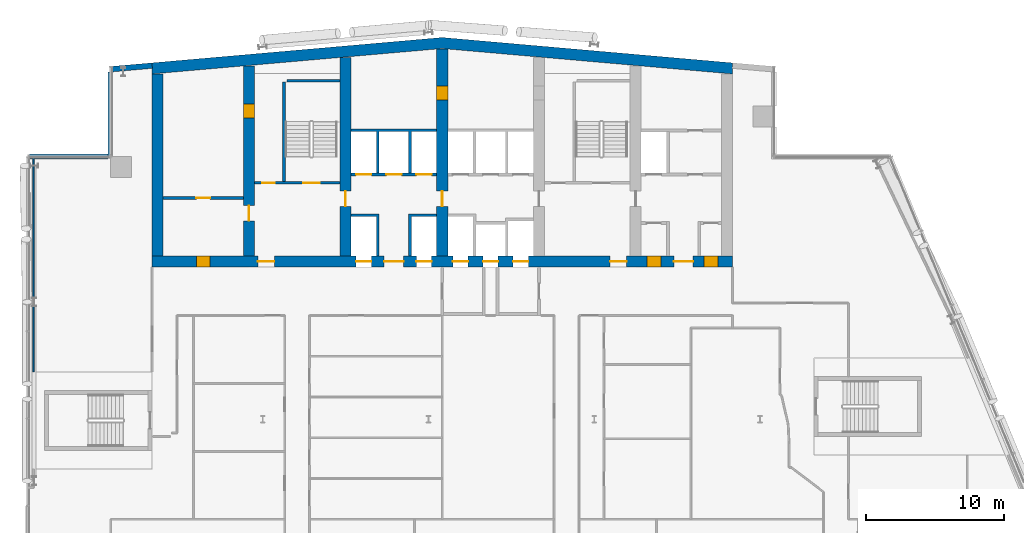
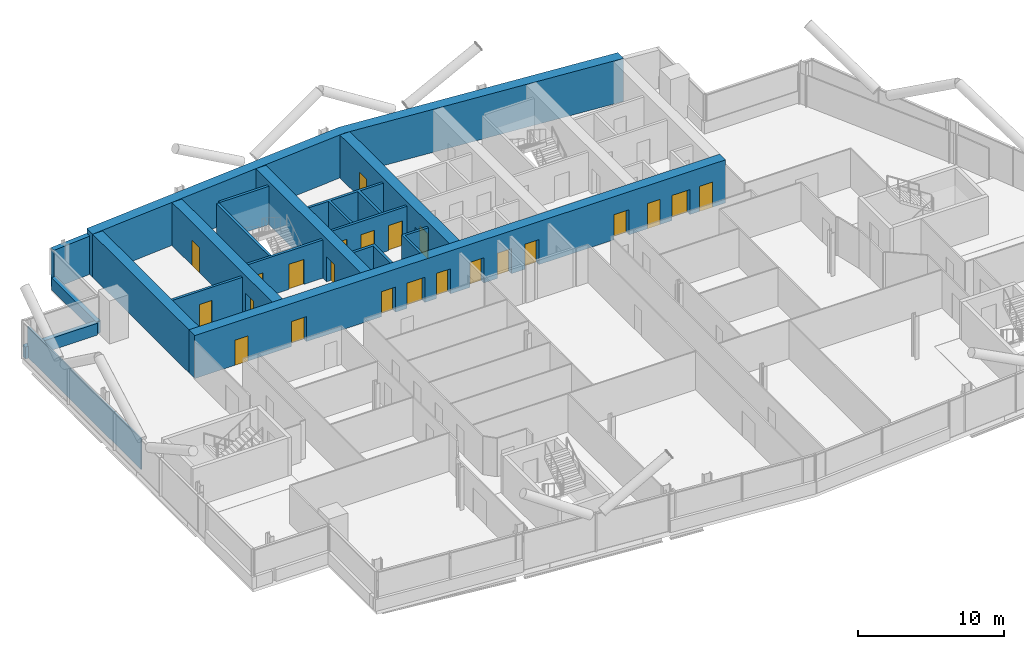
# One storey, part 17 of 26: 23 doors, 18 walls, 23 openings.
"""IFC4 building model written with IfcOpenShell, lengths in metres."""

from ifc_helpers import new_model, si_unit, direction, frame, frame_2d, origin, place, context, subcontext, project, spatial, polyline, rectangle, outline, extrude, material, layer, layer_set, type_object, element, fill, save


model = new_model("IFC4")

# Units and contexts
model_context = context("Model", 3, precision=1e-05, world=origin(), true_north=direction((0.0, 1.0)))
body_context = subcontext(model_context, "Body", "Model", "MODEL_VIEW")
ifc_project = project(units=[si_unit("LENGTHUNIT", "METRE"), si_unit("AREAUNIT", "SQUARE_METRE"), si_unit("VOLUMEUNIT", "CUBIC_METRE"), si_unit("PLANEANGLEUNIT", "RADIAN"), si_unit("MASSUNIT", "GRAM", prefix="KILO")], contexts=[model_context])

# Site, building, storey
site_placement = place(None, origin())
site = spatial("IfcSite", under=ifc_project, at=site_placement, CompositionType="ELEMENT")
building_placement = place(site_placement, origin())
building = spatial("IfcBuilding", under=site, at=building_placement, Name="Wharfspan Tower", CompositionType="ELEMENT")
storey_placement = place(building_placement, frame((0.0, 0.0, 166.300049)))
storey = spatial("IfcBuildingStorey", under=building, at=storey_placement, Name="L40", CompositionType="ELEMENT", Elevation=166.300049)

# Wall, opening, door
ifc_material_1 = material(Name="Calcium silicate masonry", Category="masonry")
ifc_layer_1 = layer(ifc_material_1, 0.199951)
ifc_layer_set_1 = layer_set([ifc_layer_1], Name="Calcium silicate masonry")
wall_type_1 = type_object("IfcWallType", Name="Core room wall 200", PredefinedType="PARTITIONING", material=ifc_layer_set_1)
wall_1_placement = place(storey_placement, frame((16.800049, 39.0, 0.0), z_axis=(0.0, 0.0, 1.0), x_axis=(1.0, 0.0, 0.0)))
wall_1 = element("IfcWall", 1, at=wall_1_placement, inside=storey, type_object=wall_type_1, Name="sw:L40:RM1", PredefinedType="PARTITIONING", context=body_context, shape_type="SweptSolid", body=[
    extrude(rectangle(XDim=5.800049, YDim=0.199951, at=frame_2d((2.899902, 0.0))), origin(), (0.0, 0.0, 1.0), 3.199951),
])
opening_1_placement = place(wall_1_placement, frame((2.399902, 0.0, 0.0)))
opening_1 = element("IfcOpeningElement", 2, at=opening_1_placement, cuts=wall_1, Name="Opening CD40.12", PredefinedType="OPENING", context=body_context, shape_type="SweptSolid", body=[
    extrude(rectangle(XDim=1.0, YDim=2.100098, at=frame_2d((0.5, 1.050049))), frame((0.0, 0.109863, 0.0), z_axis=(0.0, -1.0, 0.0), x_axis=(1.0, 0.0, 0.0)), (0.0, 0.0, 1.0), 0.219971),
])
ifc_material_2 = material(Name="Steel door leaf", Category="steel")
door_type_1 = type_object("IfcDoorType", Name="Core room door 1000x2100", OperationType="SINGLE_SWING_LEFT", PredefinedType="DOOR", material=ifc_material_2)
door_1_placement = place(opening_1_placement, origin())
door_1 = element("IfcDoor", 3, at=door_1_placement, inside=storey, type_object=door_type_1, Name="d:L40:1:rr", OperationType="SINGLE_SWING_RIGHT", OverallHeight=2.100098, OverallWidth=1.0, PredefinedType="DOOR", context=body_context, shape_type="SweptSolid", body=[
    extrude(rectangle(XDim=1.0, YDim=2.100098, at=frame_2d((0.5, 1.050049))), frame((0.0, 0.024902, 0.0), z_axis=(0.0, -1.0, 0.0), x_axis=(1.0, 0.0, 0.0)), (0.0, 0.0, 1.0), 0.050049),
])
fill(opening_1, door_1)

# Wall
ifc_material_3 = material(Name="Concrete C60/75", Category="concrete")
ifc_layer_2 = layer(ifc_material_3, 0.800049)
ifc_layer_set_2 = layer_set([ifc_layer_2], Name="Concrete C60/75")
wall_type_2 = type_object("IfcWallType", Name="Core wall 800 C60/75", PredefinedType="SHEAR", material=ifc_layer_set_2)
wall_2_placement = place(storey_placement, frame((0.0, 0.0, -0.000244)))
element("IfcWall", 4, at=wall_2_placement, inside=storey, type_object=wall_type_2, Name="Core rear wall L40", PredefinedType="SHEAR", context=body_context, shape_type="SweptSolid", body=[
    extrude(outline(polyline([(16.0, 47.984375), (37.0, 49.821533), (58.0, 47.984375), (58.0, 48.787354), (37.0, 50.624756), (16.0, 48.787354), (16.0, 47.984375)])), origin(), (0.0, 0.0, 1.0), 3.600098),
])

# Wall, openings, doors
wall_3_placement = place(storey_placement, frame((16.0, 34.399902, 0.0), z_axis=(0.0, 0.0, 1.0), x_axis=(1.0, 0.0, 0.0)))
wall_3 = element("IfcWall", 5, at=wall_3_placement, inside=storey, type_object=wall_type_2, Name="Core front wall L40", PredefinedType="SHEAR", context=body_context, shape_type="SweptSolid", body=[
    extrude(rectangle(XDim=42.0, YDim=0.800049, at=frame_2d((21.0, 0.0))), origin(), (0.0, 0.0, 1.0), 3.599854),
])
opening_2_placement = place(wall_3_placement, frame((3.199951, 0.0, 0.0)))
opening_2 = element("IfcOpeningElement", 6, at=opening_2_placement, cuts=wall_3, Name="Opening CD40.11", PredefinedType="OPENING", context=body_context, shape_type="SweptSolid", body=[
    extrude(rectangle(XDim=1.0, YDim=2.100098, at=frame_2d((0.5, 1.050049))), frame((0.0, 0.409912, 0.0), z_axis=(0.0, -1.0, 0.0), x_axis=(1.0, 0.0, 0.0)), (0.0, 0.0, 1.0), 0.820068),
])
opening_3_placement = place(wall_3_placement, frame((7.649902, 0.0, 0.0)))
opening_3 = element("IfcOpeningElement", 7, at=opening_3_placement, cuts=wall_3, Name="Opening SV2.L40", PredefinedType="OPENING", context=body_context, shape_type="SweptSolid", body=[
    extrude(rectangle(XDim=1.199951, YDim=2.100098, at=frame_2d((0.600098, 1.050049))), frame((0.0, 0.409912, 0.0), z_axis=(0.0, -1.0, 0.0), x_axis=(1.0, 0.0, 0.0)), (0.0, 0.0, 1.0), 0.820068),
])
opening_4_placement = place(wall_3_placement, frame((14.766602, 0.0, 0.0)))
opening_4 = element("IfcOpeningElement", 8, at=opening_4_placement, cuts=wall_3, Name="Opening LD.SL1.L40", PredefinedType="OPENING", context=body_context, shape_type="SweptSolid", body=[
    extrude(rectangle(XDim=1.100098, YDim=2.100098, at=frame_2d((0.550049, 1.050049))), frame((0.0, 0.409912, 0.0), z_axis=(0.0, -1.0, 0.0), x_axis=(1.0, 0.0, 0.0)), (0.0, 0.0, 1.0), 0.820068),
])
opening_5_placement = place(wall_3_placement, frame((19.133301, 0.0, 0.0)))
opening_5 = element("IfcOpeningElement", 9, at=opening_5_placement, cuts=wall_3, Name="Opening LD.SL2.L40", PredefinedType="OPENING", context=body_context, shape_type="SweptSolid", body=[
    extrude(rectangle(XDim=1.100098, YDim=2.100098, at=frame_2d((0.550049, 1.050049))), frame((0.0, 0.409912, 0.0), z_axis=(0.0, -1.0, 0.0), x_axis=(1.0, 0.0, 0.0)), (0.0, 0.0, 1.0), 0.820068),
])
opening_6_placement = place(wall_3_placement, frame((16.800049, 0.0, 0.0)))
opening_6 = element("IfcOpeningElement", 10, at=opening_6_placement, cuts=wall_3, Name="Opening HD40.3", PredefinedType="OPENING", context=body_context, shape_type="SweptSolid", body=[
    extrude(rectangle(XDim=1.399902, YDim=2.100098, at=frame_2d((0.699951, 1.050049))), frame((0.0, 0.409912, 0.0), z_axis=(0.0, -1.0, 0.0), x_axis=(1.0, 0.0, 0.0)), (0.0, 0.0, 1.0), 0.820068),
])
opening_7_placement = place(wall_3_placement, frame((21.766602, 0.0, 0.0)))
opening_7 = element("IfcOpeningElement", 11, at=opening_7_placement, cuts=wall_3, Name="Opening LD.FF1.L40", PredefinedType="OPENING", context=body_context, shape_type="SweptSolid", body=[
    extrude(rectangle(XDim=1.100098, YDim=2.100098, at=frame_2d((0.550049, 1.050049))), frame((0.0, 0.409912, 0.0), z_axis=(0.0, -1.0, 0.0), x_axis=(1.0, 0.0, 0.0)), (0.0, 0.0, 1.0), 0.820068),
])
opening_8_placement = place(wall_3_placement, frame((23.949951, 0.0, 0.0)))
opening_8 = element("IfcOpeningElement", 12, at=opening_8_placement, cuts=wall_3, Name="Opening LD.LB7.L40", PredefinedType="OPENING", context=body_context, shape_type="SweptSolid", body=[
    extrude(rectangle(XDim=1.100098, YDim=2.100098, at=frame_2d((0.550049, 1.050049))), frame((0.0, 0.409912, 0.0), z_axis=(0.0, -1.0, 0.0), x_axis=(1.0, 0.0, 0.0)), (0.0, 0.0, 1.0), 0.820068),
])
opening_9_placement = place(wall_3_placement, frame((26.133301, 0.0, 0.0)))
opening_9 = element("IfcOpeningElement", 13, at=opening_9_placement, cuts=wall_3, Name="Opening LD.FF2.L40", PredefinedType="OPENING", context=body_context, shape_type="SweptSolid", body=[
    extrude(rectangle(XDim=1.100098, YDim=2.100098, at=frame_2d((0.550049, 1.050049))), frame((0.0, 0.409912, 0.0), z_axis=(0.0, -1.0, 0.0), x_axis=(1.0, 0.0, 0.0)), (0.0, 0.0, 1.0), 0.820068),
])
opening_10_placement = place(wall_3_placement, frame((33.149902, 0.0, 0.0)))
opening_10 = element("IfcOpeningElement", 14, at=opening_10_placement, cuts=wall_3, Name="Opening SV5.L40", PredefinedType="OPENING", context=body_context, shape_type="SweptSolid", body=[
    extrude(rectangle(XDim=1.199951, YDim=2.100098, at=frame_2d((0.600098, 1.050049))), frame((0.0, 0.409912, 0.0), z_axis=(0.0, -1.0, 0.0), x_axis=(1.0, 0.0, 0.0)), (0.0, 0.0, 1.0), 0.820068),
])
opening_11_placement = place(wall_3_placement, frame((35.81665, 0.0, 0.0)))
opening_11 = element("IfcOpeningElement", 15, at=opening_11_placement, cuts=wall_3, Name="Opening CD40.6F1", PredefinedType="OPENING", context=body_context, shape_type="SweptSolid", body=[
    extrude(rectangle(XDim=1.0, YDim=2.100098, at=frame_2d((0.5, 1.050049))), frame((0.0, 0.409912, 0.0), z_axis=(0.0, -1.0, 0.0), x_axis=(1.0, 0.0, 0.0)), (0.0, 0.0, 1.0), 0.820068),
])
opening_12_placement = place(wall_3_placement, frame((39.949951, 0.0, 0.0)))
opening_12 = element("IfcOpeningElement", 16, at=opening_12_placement, cuts=wall_3, Name="Opening CD40.6F3", PredefinedType="OPENING", context=body_context, shape_type="SweptSolid", body=[
    extrude(rectangle(XDim=1.0, YDim=2.100098, at=frame_2d((0.5, 1.050049))), frame((0.0, 0.409912, 0.0), z_axis=(0.0, -1.0, 0.0), x_axis=(1.0, 0.0, 0.0)), (0.0, 0.0, 1.0), 0.820068),
])
opening_13_placement = place(wall_3_placement, frame((37.766602, 0.0, 0.0)))
opening_13 = element("IfcOpeningElement", 17, at=opening_13_placement, cuts=wall_3, Name="Opening HD40.6", PredefinedType="OPENING", context=body_context, shape_type="SweptSolid", body=[
    extrude(rectangle(XDim=1.399902, YDim=2.100098, at=frame_2d((0.699951, 1.050049))), frame((0.0, 0.409912, 0.0), z_axis=(0.0, -1.0, 0.0), x_axis=(1.0, 0.0, 0.0)), (0.0, 0.0, 1.0), 0.820068),
])
door_2_placement = place(opening_2_placement, origin())
door_2 = element("IfcDoor", 18, at=door_2_placement, inside=storey, type_object=door_type_1, Name="d:L40:1:rf", OperationType="SINGLE_SWING_LEFT", OverallHeight=2.100098, OverallWidth=1.0, PredefinedType="DOOR", context=body_context, shape_type="SweptSolid", body=[
    extrude(rectangle(XDim=1.0, YDim=2.100098, at=frame_2d((0.5, 1.050049))), frame((0.0, 0.399902, 0.0), z_axis=(0.0, -1.0, 0.0), x_axis=(1.0, 0.0, 0.0)), (0.0, 0.0, 1.0), 0.799561),
])
fill(opening_2, door_2)
door_3_placement = place(opening_11_placement, origin())
door_3 = element("IfcDoor", 19, at=door_3_placement, inside=storey, type_object=door_type_1, Name="d:L40:6:fd6.1", OperationType="SINGLE_SWING_LEFT", OverallHeight=2.100098, OverallWidth=1.0, PredefinedType="DOOR", context=body_context, shape_type="SweptSolid", body=[
    extrude(rectangle(XDim=1.0, YDim=2.100098, at=frame_2d((0.5, 1.050049))), frame((0.0, 0.399902, 0.0), z_axis=(0.0, -1.0, 0.0), x_axis=(1.0, 0.0, 0.0)), (0.0, 0.0, 1.0), 0.799561),
])
fill(opening_11, door_3)
door_4_placement = place(opening_12_placement, origin())
door_4 = element("IfcDoor", 20, at=door_4_placement, inside=storey, type_object=door_type_1, Name="d:L40:6:fd6.3", OperationType="SINGLE_SWING_LEFT", OverallHeight=2.100098, OverallWidth=1.0, PredefinedType="DOOR", context=body_context, shape_type="SweptSolid", body=[
    extrude(rectangle(XDim=1.0, YDim=2.100098, at=frame_2d((0.5, 1.050049))), frame((0.0, 0.399902, 0.0), z_axis=(0.0, -1.0, 0.0), x_axis=(1.0, 0.0, 0.0)), (0.0, 0.0, 1.0), 0.799561),
])
fill(opening_12, door_4)
door_type_2 = type_object("IfcDoorType", Name="Hall entry door 1400x2100", OperationType="DOUBLE_DOOR_SINGLE_SWING", PredefinedType="DOOR", material=ifc_material_2)
door_5_placement = place(opening_6_placement, origin())
door_5 = element("IfcDoor", 21, at=door_5_placement, inside=storey, type_object=door_type_2, Name="d:L40:3:hd3", OperationType="DOUBLE_DOOR_SINGLE_SWING", OverallHeight=2.100098, OverallWidth=1.399902, PredefinedType="DOOR", context=body_context, shape_type="SweptSolid", body=[
    extrude(rectangle(XDim=1.399902, YDim=2.100098, at=frame_2d((0.699951, 1.050049))), frame((0.0, 0.024902, 0.0), z_axis=(0.0, -1.0, 0.0), x_axis=(1.0, 0.0, 0.0)), (0.0, 0.0, 1.0), 0.050049),
])
fill(opening_6, door_5)
door_6_placement = place(opening_13_placement, origin())
door_6 = element("IfcDoor", 22, at=door_6_placement, inside=storey, type_object=door_type_2, Name="d:L40:6:hd6", OperationType="DOUBLE_DOOR_SINGLE_SWING", OverallHeight=2.100098, OverallWidth=1.399902, PredefinedType="DOOR", context=body_context, shape_type="SweptSolid", body=[
    extrude(rectangle(XDim=1.399902, YDim=2.100098, at=frame_2d((0.699951, 1.050049))), frame((0.0, 0.024902, 0.0), z_axis=(0.0, -1.0, 0.0), x_axis=(1.0, 0.0, 0.0)), (0.0, 0.0, 1.0), 0.050049),
])
fill(opening_13, door_6)
ifc_material_4 = material(Name="Stainless steel", Category="steel")
door_type_3 = type_object("IfcDoorType", Name="Lift landing door 1100x2100", OperationType="DOUBLE_DOOR_SLIDING", PredefinedType="DOOR", material=ifc_material_4)
door_7_placement = place(opening_4_placement, origin())
door_7 = element("IfcDoor", 23, at=door_7_placement, inside=storey, type_object=door_type_3, Name="Landing door SL1 L40", OperationType="DOUBLE_DOOR_SLIDING", OverallHeight=2.100098, OverallWidth=1.100098, PredefinedType="DOOR", context=body_context, shape_type="SweptSolid", body=[
    extrude(rectangle(XDim=1.100098, YDim=2.100098, at=frame_2d((0.550049, 1.050049))), frame((0.0, 0.024902, 0.0), z_axis=(0.0, -1.0, 0.0), x_axis=(1.0, 0.0, 0.0)), (0.0, 0.0, 1.0), 0.050049),
])
fill(opening_4, door_7)
door_8_placement = place(opening_5_placement, origin())
door_8 = element("IfcDoor", 24, at=door_8_placement, inside=storey, type_object=door_type_3, Name="Landing door SL2 L40", OperationType="DOUBLE_DOOR_SLIDING", OverallHeight=2.100098, OverallWidth=1.100098, PredefinedType="DOOR", context=body_context, shape_type="SweptSolid", body=[
    extrude(rectangle(XDim=1.100098, YDim=2.100098, at=frame_2d((0.550049, 1.050049))), frame((0.0, 0.024902, 0.0), z_axis=(0.0, -1.0, 0.0), x_axis=(1.0, 0.0, 0.0)), (0.0, 0.0, 1.0), 0.050049),
])
fill(opening_5, door_8)
door_9_placement = place(opening_7_placement, origin())
door_9 = element("IfcDoor", 25, at=door_9_placement, inside=storey, type_object=door_type_3, Name="Landing door FF1 L40", OperationType="DOUBLE_DOOR_SLIDING", OverallHeight=2.100098, OverallWidth=1.100098, PredefinedType="DOOR", context=body_context, shape_type="SweptSolid", body=[
    extrude(rectangle(XDim=1.100098, YDim=2.100098, at=frame_2d((0.550049, 1.050049))), frame((0.0, 0.024902, 0.0), z_axis=(0.0, -1.0, 0.0), x_axis=(1.0, 0.0, 0.0)), (0.0, 0.0, 1.0), 0.050049),
])
fill(opening_7, door_9)
door_10_placement = place(opening_8_placement, origin())
door_10 = element("IfcDoor", 26, at=door_10_placement, inside=storey, type_object=door_type_3, Name="Landing door LB7 L40", OperationType="DOUBLE_DOOR_SLIDING", OverallHeight=2.100098, OverallWidth=1.100098, PredefinedType="DOOR", context=body_context, shape_type="SweptSolid", body=[
    extrude(rectangle(XDim=1.100098, YDim=2.100098, at=frame_2d((0.550049, 1.050049))), frame((0.0, 0.024902, 0.0), z_axis=(0.0, -1.0, 0.0), x_axis=(1.0, 0.0, 0.0)), (0.0, 0.0, 1.0), 0.050049),
])
fill(opening_8, door_10)
door_11_placement = place(opening_9_placement, origin())
door_11 = element("IfcDoor", 27, at=door_11_placement, inside=storey, type_object=door_type_3, Name="Landing door FF2 L40", OperationType="DOUBLE_DOOR_SLIDING", OverallHeight=2.100098, OverallWidth=1.100098, PredefinedType="DOOR", context=body_context, shape_type="SweptSolid", body=[
    extrude(rectangle(XDim=1.100098, YDim=2.100098, at=frame_2d((0.550049, 1.050049))), frame((0.0, 0.024902, 0.0), z_axis=(0.0, -1.0, 0.0), x_axis=(1.0, 0.0, 0.0)), (0.0, 0.0, 1.0), 0.050049),
])
fill(opening_9, door_11)
door_type_4 = type_object("IfcDoorType", Name="Stair door 1200x2100", OperationType="SINGLE_SWING_LEFT", PredefinedType="DOOR", material=ifc_material_2)
door_12_placement = place(opening_3_placement, origin())
door_12 = element("IfcDoor", 28, at=door_12_placement, inside=storey, type_object=door_type_4, Name="vd:L40:2", OperationType="SINGLE_SWING_LEFT", OverallHeight=2.100098, OverallWidth=1.199951, PredefinedType="DOOR", context=body_context, shape_type="SweptSolid", body=[
    extrude(rectangle(XDim=1.199951, YDim=2.100098, at=frame_2d((0.600098, 1.050049))), frame((0.0, 0.024902, 0.0), z_axis=(0.0, -1.0, 0.0), x_axis=(1.0, 0.0, 0.0)), (0.0, 0.0, 1.0), 0.050049),
])
fill(opening_3, door_12)
door_13_placement = place(opening_10_placement, origin())
door_13 = element("IfcDoor", 29, at=door_13_placement, inside=storey, type_object=door_type_4, Name="vd:L40:5", OperationType="SINGLE_SWING_LEFT", OverallHeight=2.100098, OverallWidth=1.199951, PredefinedType="DOOR", context=body_context, shape_type="SweptSolid", body=[
    extrude(rectangle(XDim=1.199951, YDim=2.100098, at=frame_2d((0.600098, 1.050049))), frame((0.0, 0.024902, 0.0), z_axis=(0.0, -1.0, 0.0), x_axis=(1.0, 0.0, 0.0)), (0.0, 0.0, 1.0), 0.050049),
])
fill(opening_10, door_13)

# Wall
wall_4_placement = place(storey_placement, frame((16.399902, 34.800049, 0.0), z_axis=(0.0, 0.0, 1.0), x_axis=(0.0, 1.0, 0.0)))
element("IfcWall", 30, at=wall_4_placement, inside=storey, type_object=wall_type_2, Name="Core cross wall EW0 L40", PredefinedType="SHEAR", context=body_context, shape_type="SweptSolid", body=[
    extrude(rectangle(XDim=13.184326, YDim=0.800049, at=frame_2d((6.592285, 0.0))), origin(), (0.0, 0.0, 1.0), 3.599854),
])

# Wall, openings, doors
wall_5_placement = place(storey_placement, frame((23.0, 34.800049, 0.0), z_axis=(0.0, 0.0, 1.0), x_axis=(0.0, 1.0, 0.0)))
wall_5 = element("IfcWall", 31, at=wall_5_placement, inside=storey, type_object=wall_type_2, Name="Core cross wall X2 L40", PredefinedType="SHEAR", context=body_context, shape_type="SweptSolid", body=[
    extrude(rectangle(XDim=13.761719, YDim=0.800049, at=frame_2d((6.880859, 0.0))), origin(), (0.0, 0.0, 1.0), 3.599854),
])
opening_14_placement = place(wall_5_placement, frame((2.550049, 0.0, 0.0)))
opening_14 = element("IfcOpeningElement", 32, at=opening_14_placement, cuts=wall_5, Name="Opening CC40.2", PredefinedType="OPENING", context=body_context, shape_type="SweptSolid", body=[
    extrude(rectangle(XDim=1.100098, YDim=2.100098, at=frame_2d((0.550049, 1.050049))), frame((0.0, 0.409912, 0.0), z_axis=(0.0, -1.0, 0.0), x_axis=(1.0, 0.0, 0.0)), (0.0, 0.0, 1.0), 0.820068),
])
opening_15_placement = place(wall_5_placement, frame((10.0, 0.0, 0.0)))
opening_15 = element("IfcOpeningElement", 33, at=opening_15_placement, cuts=wall_5, Name="Opening CR40.2", PredefinedType="OPENING", context=body_context, shape_type="SweptSolid", body=[
    extrude(rectangle(XDim=1.0, YDim=2.100098, at=frame_2d((0.5, 1.050049))), frame((0.0, 0.409912, 0.0), z_axis=(0.0, -1.0, 0.0), x_axis=(1.0, 0.0, 0.0)), (0.0, 0.0, 1.0), 0.820068),
])
door_type_5 = type_object("IfcDoorType", Name="Core corridor door 1100x2100", OperationType="SINGLE_SWING_LEFT", PredefinedType="DOOR", material=ifc_material_2)
door_14_placement = place(opening_14_placement, origin())
door_14 = element("IfcDoor", 34, at=door_14_placement, inside=storey, type_object=door_type_5, Name="xd:L40:2", OperationType="SINGLE_SWING_RIGHT", OverallHeight=2.100098, OverallWidth=1.100098, PredefinedType="DOOR", context=body_context, shape_type="SweptSolid", body=[
    extrude(rectangle(XDim=1.100098, YDim=2.100098, at=frame_2d((0.550049, 1.050049))), frame((0.0, 0.024902, 0.0), z_axis=(0.0, -1.0, 0.0), x_axis=(1.0, 0.0, 0.0)), (0.0, 0.0, 1.0), 0.050049),
])
fill(opening_14, door_14)
door_15_placement = place(opening_15_placement, origin())
door_15 = element("IfcDoor", 35, at=door_15_placement, inside=storey, type_object=door_type_1, Name="xr:L40:2", OperationType="SINGLE_SWING_RIGHT", OverallHeight=2.100098, OverallWidth=1.0, PredefinedType="DOOR", context=body_context, shape_type="SweptSolid", body=[
    extrude(rectangle(XDim=1.0, YDim=2.100098, at=frame_2d((0.5, 1.050049))), frame((0.0, 0.399902, 0.0), z_axis=(0.0, -1.0, 0.0), x_axis=(1.0, 0.0, 0.0)), (0.0, 0.0, 1.0), 0.799561),
])
fill(opening_15, door_15)

# Wall, opening, door
wall_6_placement = place(storey_placement, frame((30.0, 34.800049, 0.0), z_axis=(0.0, 0.0, 1.0), x_axis=(0.0, 1.0, 0.0)))
wall_6 = element("IfcWall", 36, at=wall_6_placement, inside=storey, type_object=wall_type_2, Name="Core cross wall X3 L40", PredefinedType="SHEAR", context=body_context, shape_type="SweptSolid", body=[
    extrude(rectangle(XDim=14.374023, YDim=0.800049, at=frame_2d((7.187012, 0.0))), origin(), (0.0, 0.0, 1.0), 3.599854),
])
opening_16_placement = place(wall_6_placement, frame((3.600098, 0.0, 0.0)))
opening_16 = element("IfcOpeningElement", 37, at=opening_16_placement, cuts=wall_6, Name="Opening CC40.3", PredefinedType="OPENING", context=body_context, shape_type="SweptSolid", body=[
    extrude(rectangle(XDim=1.100098, YDim=2.100098, at=frame_2d((0.550049, 1.050049))), frame((0.0, 0.409912, 0.0), z_axis=(0.0, -1.0, 0.0), x_axis=(1.0, 0.0, 0.0)), (0.0, 0.0, 1.0), 0.820068),
])
door_16_placement = place(opening_16_placement, origin())
door_16 = element("IfcDoor", 38, at=door_16_placement, inside=storey, type_object=door_type_5, Name="xd:L40:3", OperationType="SINGLE_SWING_LEFT", OverallHeight=2.100098, OverallWidth=1.100098, PredefinedType="DOOR", context=body_context, shape_type="SweptSolid", body=[
    extrude(rectangle(XDim=1.100098, YDim=2.100098, at=frame_2d((0.550049, 1.050049))), frame((0.0, 0.024902, 0.0), z_axis=(0.0, -1.0, 0.0), x_axis=(1.0, 0.0, 0.0)), (0.0, 0.0, 1.0), 0.050049),
])
fill(opening_16, door_16)

# Wall, openings, doors
wall_7_placement = place(storey_placement, frame((37.0, 34.800049, 0.0), z_axis=(0.0, 0.0, 1.0), x_axis=(0.0, 1.0, 0.0)))
wall_7 = element("IfcWall", 39, at=wall_7_placement, inside=storey, type_object=wall_type_2, Name="Core cross wall X4 L40", PredefinedType="SHEAR", context=body_context, shape_type="SweptSolid", body=[
    extrude(rectangle(XDim=14.986572, YDim=0.800049, at=frame_2d((7.493164, 0.0))), origin(), (0.0, 0.0, 1.0), 3.599854),
])
opening_17_placement = place(wall_7_placement, frame((11.312012, 0.0, 0.0)))
opening_17 = element("IfcOpeningElement", 40, at=opening_17_placement, cuts=wall_7, Name="Opening CD40.3X", PredefinedType="OPENING", context=body_context, shape_type="SweptSolid", body=[
    extrude(rectangle(XDim=1.0, YDim=2.100098, at=frame_2d((0.5, 1.050049))), frame((0.0, 0.409912, 0.0), z_axis=(0.0, -1.0, 0.0), x_axis=(1.0, 0.0, 0.0)), (0.0, 0.0, 1.0), 0.820068),
])
opening_18_placement = place(wall_7_placement, frame((3.600098, 0.0, 0.0)))
opening_18 = element("IfcOpeningElement", 41, at=opening_18_placement, cuts=wall_7, Name="Opening CC40.4", PredefinedType="OPENING", context=body_context, shape_type="SweptSolid", body=[
    extrude(rectangle(XDim=1.100098, YDim=2.100098, at=frame_2d((0.550049, 1.050049))), frame((0.0, 0.409912, 0.0), z_axis=(0.0, -1.0, 0.0), x_axis=(1.0, 0.0, 0.0)), (0.0, 0.0, 1.0), 0.820068),
])
door_17_placement = place(opening_18_placement, origin())
door_17 = element("IfcDoor", 42, at=door_17_placement, inside=storey, type_object=door_type_5, Name="xd:L40:4", OperationType="SINGLE_SWING_RIGHT", OverallHeight=2.100098, OverallWidth=1.100098, PredefinedType="DOOR", context=body_context, shape_type="SweptSolid", body=[
    extrude(rectangle(XDim=1.100098, YDim=2.100098, at=frame_2d((0.550049, 1.050049))), frame((0.0, 0.024902, 0.0), z_axis=(0.0, -1.0, 0.0), x_axis=(1.0, 0.0, 0.0)), (0.0, 0.0, 1.0), 0.050049),
])
fill(opening_18, door_17)
door_18_placement = place(opening_17_placement, origin())
door_18 = element("IfcDoor", 43, at=door_18_placement, inside=storey, type_object=door_type_1, Name="d:L40:3:sx", OperationType="SINGLE_SWING_LEFT", OverallHeight=2.100098, OverallWidth=1.0, PredefinedType="DOOR", context=body_context, shape_type="SweptSolid", body=[
    extrude(rectangle(XDim=1.0, YDim=2.100098, at=frame_2d((0.5, 1.050049))), frame((0.0, 0.399902, 0.0), z_axis=(0.0, -1.0, 0.0), x_axis=(1.0, 0.0, 0.0)), (0.0, 0.0, 1.0), 0.799561),
])
fill(opening_17, door_18)

ifc_material_5 = material(Name="Concrete C30/37", Category="concrete")
ifc_layer_3 = layer(ifc_material_5, 0.199951)
ifc_layer_set_3 = layer_set([ifc_layer_3], Name="Concrete C30/37")
wall_type_3 = type_object("IfcWallType", Name="Lift shaft wall 200", PredefinedType="PARTITIONING", material=ifc_layer_set_3)
wall_8_placement = place(storey_placement, frame((30.399902, 40.699951, 0.0), z_axis=(0.0, 0.0, 1.0), x_axis=(1.0, 0.0, 0.0)))
wall_8 = element("IfcWall", 44, at=wall_8_placement, inside=storey, type_object=wall_type_3, Name="sw:L40:RF3", PredefinedType="PARTITIONING", context=body_context, shape_type="SweptSolid", body=[
    extrude(rectangle(XDim=6.200195, YDim=0.199951, at=frame_2d((3.100098, 0.0))), origin(), (0.0, 0.0, 1.0), 3.199951),
])
opening_19_placement = place(wall_8_placement, frame((0.366699, 0.0, 0.0)))
opening_19 = element("IfcOpeningElement", 45, at=opening_19_placement, cuts=wall_8, Name="Opening LD.LB1.L40", PredefinedType="OPENING", context=body_context, shape_type="SweptSolid", body=[
    extrude(rectangle(XDim=1.100098, YDim=2.100098, at=frame_2d((0.550049, 1.050049))), frame((0.0, 0.109863, 0.0), z_axis=(0.0, -1.0, 0.0), x_axis=(1.0, 0.0, 0.0)), (0.0, 0.0, 1.0), 0.219971),
])
opening_20_placement = place(wall_8_placement, frame((2.550049, 0.0, 0.0)))
opening_20 = element("IfcOpeningElement", 46, at=opening_20_placement, cuts=wall_8, Name="Opening LD.LB2.L40", PredefinedType="OPENING", context=body_context, shape_type="SweptSolid", body=[
    extrude(rectangle(XDim=1.100098, YDim=2.100098, at=frame_2d((0.550049, 1.050049))), frame((0.0, 0.109863, 0.0), z_axis=(0.0, -1.0, 0.0), x_axis=(1.0, 0.0, 0.0)), (0.0, 0.0, 1.0), 0.219971),
])
opening_21_placement = place(wall_8_placement, frame((4.733398, 0.0, 0.0)))
opening_21 = element("IfcOpeningElement", 47, at=opening_21_placement, cuts=wall_8, Name="Opening LD.LB3.L40", PredefinedType="OPENING", context=body_context, shape_type="SweptSolid", body=[
    extrude(rectangle(XDim=1.100098, YDim=2.100098, at=frame_2d((0.550049, 1.050049))), frame((0.0, 0.109863, 0.0), z_axis=(0.0, -1.0, 0.0), x_axis=(1.0, 0.0, 0.0)), (0.0, 0.0, 1.0), 0.219971),
])
door_19_placement = place(opening_19_placement, origin())
door_19 = element("IfcDoor", 48, at=door_19_placement, inside=storey, type_object=door_type_3, Name="Landing door LB1 L40", OperationType="DOUBLE_DOOR_SLIDING", OverallHeight=2.100098, OverallWidth=1.100098, PredefinedType="DOOR", context=body_context, shape_type="SweptSolid", body=[
    extrude(rectangle(XDim=1.100098, YDim=2.100098, at=frame_2d((0.550049, 1.050049))), frame((0.0, 0.024902, 0.0), z_axis=(0.0, -1.0, 0.0), x_axis=(1.0, 0.0, 0.0)), (0.0, 0.0, 1.0), 0.050049),
])
fill(opening_19, door_19)
door_20_placement = place(opening_20_placement, origin())
door_20 = element("IfcDoor", 49, at=door_20_placement, inside=storey, type_object=door_type_3, Name="Landing door LB2 L40", OperationType="DOUBLE_DOOR_SLIDING", OverallHeight=2.100098, OverallWidth=1.100098, PredefinedType="DOOR", context=body_context, shape_type="SweptSolid", body=[
    extrude(rectangle(XDim=1.100098, YDim=2.100098, at=frame_2d((0.550049, 1.050049))), frame((0.0, 0.024902, 0.0), z_axis=(0.0, -1.0, 0.0), x_axis=(1.0, 0.0, 0.0)), (0.0, 0.0, 1.0), 0.050049),
])
fill(opening_20, door_20)
door_21_placement = place(opening_21_placement, origin())
door_21 = element("IfcDoor", 50, at=door_21_placement, inside=storey, type_object=door_type_3, Name="Landing door LB3 L40", OperationType="DOUBLE_DOOR_SLIDING", OverallHeight=2.100098, OverallWidth=1.100098, PredefinedType="DOOR", context=body_context, shape_type="SweptSolid", body=[
    extrude(rectangle(XDim=1.100098, YDim=2.100098, at=frame_2d((0.550049, 1.050049))), frame((0.0, 0.024902, 0.0), z_axis=(0.0, -1.0, 0.0), x_axis=(1.0, 0.0, 0.0)), (0.0, 0.0, 1.0), 0.050049),
])
fill(opening_21, door_21)

# Walls
wall_9_placement = place(storey_placement, frame((0.0, 0.0, -0.000244)))
element("IfcWall", 51, at=wall_9_placement, inside=storey, type_object=wall_type_3, Name="sw:L40:FM3.0", PredefinedType="PARTITIONING", context=body_context, shape_type="SweptSolid", body=[
    extrude(outline(polyline([(32.233398, 37.649902), (30.399902, 37.649902), (30.399902, 37.850098), (32.233398, 37.850098), (32.43335, 37.850098), (32.43335, 34.800049), (32.233398, 34.800049), (32.233398, 37.649902)])), origin(), (0.0, 0.0, 1.0), 3.200195),
])
wall_10_placement = place(storey_placement, frame((0.0, 0.0, -0.000244)))
element("IfcWall", 52, at=wall_10_placement, inside=storey, type_object=wall_type_3, Name="sw:L40:FM3.1", PredefinedType="PARTITIONING", context=body_context, shape_type="SweptSolid", body=[
    extrude(outline(polyline([(34.56665, 37.850098), (34.766602, 37.850098), (36.600098, 37.850098), (36.600098, 37.649902), (34.766602, 37.649902), (34.766602, 34.800049), (34.56665, 34.800049), (34.56665, 37.850098)])), origin(), (0.0, 0.0, 1.0), 3.200195),
])
wall_11_placement = place(storey_placement, frame((0.0, 0.0, -0.000244)))
element("IfcWall", 53, at=wall_11_placement, inside=storey, type_object=wall_type_3, Name="sw:L40:RM3.0", PredefinedType="PARTITIONING", context=body_context, shape_type="SweptSolid", body=[
    extrude(outline(polyline([(32.43335, 40.800049), (32.233398, 40.800049), (32.233398, 43.800049), (30.399902, 43.800049), (30.399902, 44.0), (36.600098, 44.0), (36.600098, 43.800049), (34.766602, 43.800049), (34.766602, 40.800049), (34.56665, 40.800049), (34.56665, 43.800049), (32.43335, 43.800049), (32.43335, 40.800049)])), origin(), (0.0, 0.0, 1.0), 3.200195),
])
ifc_material_6 = material(Name="Gypsum board on steel studs", Category="steel")
ifc_layer_4 = layer(ifc_material_6, 0.100098)
ifc_layer_set_4 = layer_set([ifc_layer_4], Name="Gypsum board on steel studs")
wall_type_4 = type_object("IfcWallType", Name="Partition 100", PredefinedType="PARTITIONING", material=ifc_layer_set_4)
wall_12_placement = place(storey_placement, frame((7.419922, 26.419922, 0.0), z_axis=(0.0, 0.0, 1.0), x_axis=(0.0, 1.0, 0.0)))
element("IfcWall", 54, at=wall_12_placement, inside=storey, type_object=wall_type_4, Name="Partition L40.w003", PredefinedType="PARTITIONING", context=body_context, shape_type="SweptSolid", body=[
    extrude(rectangle(XDim=15.560059, YDim=0.100098, at=frame_2d((7.780029, 0.0))), origin(), (0.0, 0.0, 1.0), 2.579834),
])
ifc_material_7 = material(Name="Concrete C40/50", Category="concrete")
ifc_layer_5 = layer(ifc_material_7, 0.350098)
ifc_layer_set_5 = layer_set([ifc_layer_5], Name="Concrete C40/50")
wall_type_5 = type_object("IfcWallType", Name="SPANDREL EXPOSED CONCRETE 350", PredefinedType="SOLIDWALL", material=ifc_layer_set_5)
wall_13_placement = place(storey_placement, frame((12.995117, 48.126465, 0.0), z_axis=(0.0, 0.0, 1.0), x_axis=(0.0, -1.0, 0.0)))
element("IfcWall", 55, at=wall_13_placement, inside=storey, type_object=wall_type_5, Name="Spandrel upstand L40 NRW-V", PredefinedType="SOLIDWALL", context=body_context, shape_type="SweptSolid", body=[
    extrude(rectangle(XDim=6.126465, YDim=0.350098, at=frame_2d((3.063232, 0.0))), origin(), (0.0, 0.0, 1.0), 1.0),
])
wall_14_placement = place(storey_placement, frame((12.820068, 42.004883, 0.0), z_axis=(0.0, 0.0, 1.0), x_axis=(-1.0, 0.0, 0.0)))
element("IfcWall", 56, at=wall_14_placement, inside=storey, type_object=wall_type_5, Name="Spandrel upstand L40 NRW-H", PredefinedType="SOLIDWALL", context=body_context, shape_type="SweptSolid", body=[
    extrude(rectangle(XDim=5.699951, YDim=0.350098, at=frame_2d((2.850098, 0.0))), origin(), (0.0, 0.0, 1.0), 1.0),
])

# Wall, openings, doors
ifc_layer_6 = layer(ifc_material_7, 0.199951)
ifc_layer_set_6 = layer_set([ifc_layer_6], Name="Concrete C40/50")
wall_type_6 = type_object("IfcWallType", Name="Stair shaft wall 200", PredefinedType="SHEAR", material=ifc_layer_set_6)
wall_15_placement = place(storey_placement, frame((23.399902, 40.100098, 0.0), z_axis=(0.0, 0.0, 1.0), x_axis=(1.0, 0.0, 0.0)))
wall_15 = element("IfcWall", 57, at=wall_15_placement, inside=storey, type_object=wall_type_6, Name="ST1 stair enclosure wall L40", PredefinedType="SHEAR", context=body_context, shape_type="SweptSolid", body=[
    extrude(rectangle(XDim=6.200195, YDim=0.199951, at=frame_2d((3.100098, 0.0))), origin(), (0.0, 0.0, 1.0), 3.199951),
])
opening_22_placement = place(wall_15_placement, frame((3.524902, 0.0, 0.0)))
opening_22 = element("IfcOpeningElement", 58, at=opening_22_placement, cuts=wall_15, Name="Opening SD2.L40", PredefinedType="OPENING", context=body_context, shape_type="SweptSolid", body=[
    extrude(rectangle(XDim=1.199951, YDim=2.100098, at=frame_2d((0.600098, 1.050049))), frame((0.0, 0.109863, 0.0), z_axis=(0.0, -1.0, 0.0), x_axis=(1.0, 0.0, 0.0)), (0.0, 0.0, 1.0), 0.219971),
])
opening_23_placement = place(wall_15_placement, frame((0.574951, 0.0, 0.0)))
opening_23 = element("IfcOpeningElement", 59, at=opening_23_placement, cuts=wall_15, Name="Opening CD40.2R", PredefinedType="OPENING", context=body_context, shape_type="SweptSolid", body=[
    extrude(rectangle(XDim=0.899902, YDim=2.100098, at=frame_2d((0.449951, 1.050049))), frame((0.0, 0.109863, 0.0), z_axis=(0.0, -1.0, 0.0), x_axis=(1.0, 0.0, 0.0)), (0.0, 0.0, 1.0), 0.219971),
])
door_22_placement = place(opening_23_placement, origin())
door_22 = element("IfcDoor", 60, at=door_22_placement, inside=storey, type_object=door_type_1, Name="rk:L40:2", OperationType="SINGLE_SWING_LEFT", OverallHeight=2.100098, OverallWidth=0.899902, PredefinedType="DOOR", context=body_context, shape_type="SweptSolid", body=[
    extrude(rectangle(XDim=0.899902, YDim=2.100098, at=frame_2d((0.449951, 1.050049))), frame((0.0, 0.024902, 0.0), z_axis=(0.0, -1.0, 0.0), x_axis=(1.0, 0.0, 0.0)), (0.0, 0.0, 1.0), 0.050049),
])
fill(opening_23, door_22)
door_23_placement = place(opening_22_placement, origin())
door_23 = element("IfcDoor", 61, at=door_23_placement, inside=storey, type_object=door_type_4, Name="sd:L40:2", OperationType="SINGLE_SWING_RIGHT", OverallHeight=2.100098, OverallWidth=1.199951, PredefinedType="DOOR", context=body_context, shape_type="SweptSolid", body=[
    extrude(rectangle(XDim=1.199951, YDim=2.100098, at=frame_2d((0.600098, 1.050049))), frame((0.0, 0.024902, 0.0), z_axis=(0.0, -1.0, 0.0), x_axis=(1.0, 0.0, 0.0)), (0.0, 0.0, 1.0), 0.050049),
])
fill(opening_22, door_23)

# Walls
wall_16_placement = place(storey_placement, frame((25.550049, 40.199951, 0.0), z_axis=(0.0, 0.0, 1.0), x_axis=(0.0, 1.0, 0.0)))
element("IfcWall", 62, at=wall_16_placement, inside=storey, type_object=wall_type_6, Name="ST1 stair enclosure wall L40", PredefinedType="SHEAR", context=body_context, shape_type="SweptSolid", body=[
    extrude(rectangle(XDim=7.199951, YDim=0.199951, at=frame_2d((3.600098, 0.0))), origin(), (0.0, 0.0, 1.0), 3.199951),
])
wall_17_placement = place(storey_placement, frame((25.75, 47.5, 0.0), z_axis=(0.0, 0.0, 1.0), x_axis=(1.0, 0.0, 0.0)))
element("IfcWall", 63, at=wall_17_placement, inside=storey, type_object=wall_type_6, Name="ST1 stair enclosure wall L40", PredefinedType="SHEAR", context=body_context, shape_type="SweptSolid", body=[
    extrude(rectangle(XDim=3.850098, YDim=0.199951, at=frame_2d((1.925049, 0.0))), origin(), (0.0, 0.0, 1.0), 3.199951),
])
ifc_layer_7 = layer(ifc_material_7, 0.399902)
ifc_layer_set_7 = layer_set([ifc_layer_7], Name="Concrete C40/50")
wall_type_7 = type_object("IfcWallType", Name="WALL EXPOSED CONCRETE 400", PredefinedType="SOLIDWALL", material=ifc_layer_set_7)
wall_18_placement = place(storey_placement, frame((16.0, 48.58667, 0.0), z_axis=(0.0, 0.0, 1.0), x_axis=(-0.996194, -0.087168, 0.0)))
element("IfcWall", 64, at=wall_18_placement, inside=storey, type_object=wall_type_7, Name="Rear wall N1", PredefinedType="SOLIDWALL", context=body_context, shape_type="SweptSolid", body=[
    extrude(rectangle(XDim=2.994141, YDim=0.399902, at=frame_2d((1.49707, 0.0))), origin(), (0.0, 0.0, 1.0), 3.199951),
])

save(model, "model.ifc")
